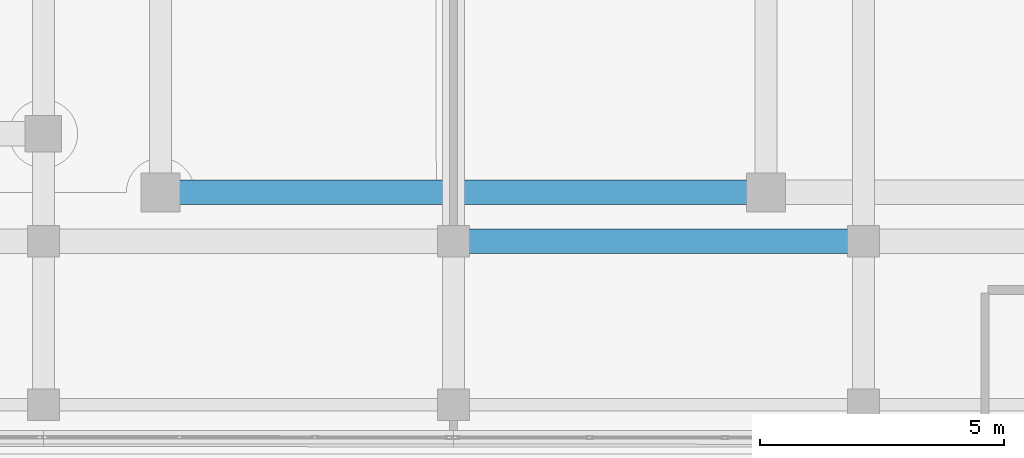
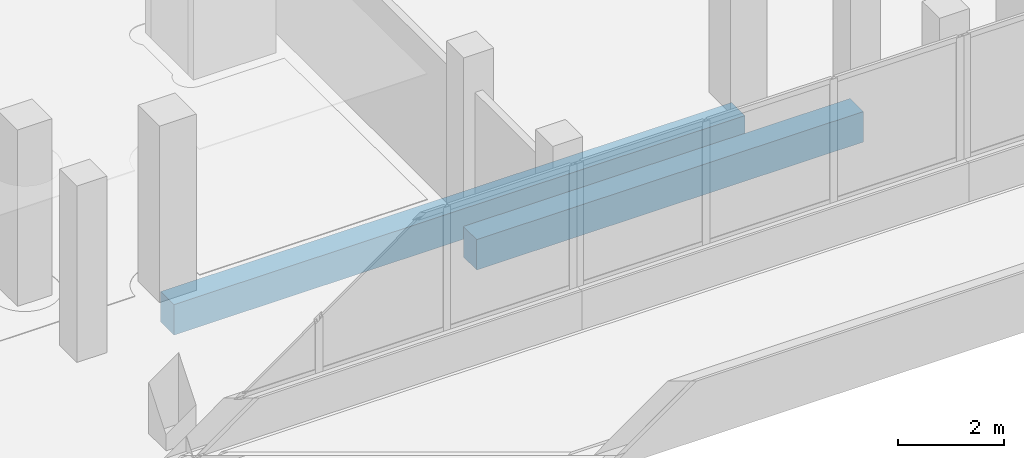
# One storey, part 10 of 78: 2 beams.
"""IFC4 building model written with IfcOpenShell, lengths in metres."""

import ifcopenshell
import ifcopenshell.guid

model = None  # the IFC model being written
_history = None  # IfcOwnerHistory: only IFC2X3 demands one
_inside = {}  # id of a spatial element -> (the spatial element, [elements in it])
_under = {}  # id of a project, library or spatial element -> (it, [spatial elements below it])
_declared = {}  # id of a project -> (the project, [libraries it declares])
_typed = {}  # id of a type object -> (the type object, [elements of that type])
_made_of = {}  # id of a material, layer set ... -> (it, [elements and type objects made of it])


def new_model(schema):
    """Start an empty IFC model of exactly this schema.

    Asked for "IFC4X3", IfcOpenShell would pick the latest addendum, in which some entities
    have other attributes; the version numbers below select the first issue.
    IFC2X3 requires an IfcOwnerHistory on every rooted entity: one is made here for all.
    """
    global model, _history
    if schema == "IFC4X3":
        model = ifcopenshell.file(schema_version=(4, 3, 0, 0))
    else:
        model = ifcopenshell.file(schema=schema)
    _inside.clear()
    _under.clear()
    _declared.clear()
    _typed.clear()
    _made_of.clear()
    _history = None
    if model.schema == "IFC2X3":
        org = make("IfcOrganization", Name="unknown")
        user = make(
            "IfcPersonAndOrganization",
            ThePerson=make("IfcPerson", FamilyName="unknown"),
            TheOrganization=org,
        )
        app = make(
            "IfcApplication",
            ApplicationDeveloper=org,
            Version="unknown",
            ApplicationFullName="unknown",
            ApplicationIdentifier="unknown",
        )
        _history = make(
            "IfcOwnerHistory",
            OwningUser=user,
            OwningApplication=app,
            ChangeAction="ADDED",
            CreationDate=0,
        )
    return model


def make(cls, **values):
    """One entity of the class cls with the attributes given. An attribute that is None is left unset."""
    return model.create_entity(
        cls, **{name: value for name, value in values.items() if value is not None}
    )


def rooted(cls, **values):
    """An entity with a GlobalId (a new one), such as an element, a storey or a relation."""
    return make(cls, GlobalId=ifcopenshell.guid.new(), OwnerHistory=_history, **values)


def si_unit(unit_type, name, prefix=None):
    """IfcSIUnit, for example si_unit("LENGTHUNIT", "METRE", prefix="MILLI")."""
    return make("IfcSIUnit", UnitType=unit_type, Prefix=prefix, Name=name)


def assignment(units):
    """IfcUnitAssignment: the units of a project."""
    return None if units is None else make("IfcUnitAssignment", Units=units)


def point(xyz):
    """IfcCartesianPoint."""
    return None if xyz is None else make("IfcCartesianPoint", Coordinates=xyz)


def direction(xyz):
    """IfcDirection."""
    return None if xyz is None else make("IfcDirection", DirectionRatios=xyz)


def frame(location, z_axis=None, x_axis=None):
    """IfcAxis2Placement3D, a coordinate frame: its origin and axes. An axis left out is left unset."""
    return make(
        "IfcAxis2Placement3D",
        Location=point(location),
        Axis=direction(z_axis),
        RefDirection=direction(x_axis),
    )


def frame_2d(location, x_axis=None):
    """IfcAxis2Placement2D, a coordinate frame in the plane: its origin and x axis."""
    return make(
        "IfcAxis2Placement2D", Location=point(location), RefDirection=direction(x_axis)
    )


def origin():
    """The frame at (0, 0, 0) with its axes left unset."""
    return frame((0.0, 0.0, 0.0))


def origin_2d():
    """The frame at (0, 0) in the plane with its x axis left unset."""
    return frame_2d((0.0, 0.0))


def place(relative_to, where):
    """IfcLocalPlacement: puts the frame where relative to a parent placement (None: the world)."""
    return make(
        "IfcLocalPlacement", PlacementRelTo=relative_to, RelativePlacement=where
    )


def context(
    kind, dimensions, precision=None, world=None, true_north=None, identifier=None
):
    """IfcGeometricRepresentationContext, for example the 3D "Model" context."""
    return make(
        "IfcGeometricRepresentationContext",
        ContextIdentifier=identifier,
        ContextType=kind,
        CoordinateSpaceDimension=dimensions,
        Precision=precision,
        WorldCoordinateSystem=world,
        TrueNorth=true_north,
    )


def subcontext(parent, identifier, kind, view, scale=None):
    """IfcGeometricRepresentationSubContext, for example "Body" below "Model"."""
    return make(
        "IfcGeometricRepresentationSubContext",
        ContextIdentifier=identifier,
        ContextType=kind,
        ParentContext=parent,
        TargetScale=scale,
        TargetView=view,
    )


def project(units=None, contexts=None):
    """IfcProject with its units and contexts."""
    return rooted(
        "IfcProject",
        Name="project",
        RepresentationContexts=contexts,
        UnitsInContext=assignment(units),
    )


def spatial(cls, under=None, at=None, **own):
    """A site, building, storey or space (cls), placed at a placement, below another one or the project."""
    s = rooted(cls, ObjectPlacement=at, **own)
    if under is not None:
        _under.setdefault(under.id(), (under, []))[1].append(s)
    return s


def profile(cls, at=None, kind="AREA", **sizes):
    """A parametric profile (cls). Its sizes go by their IFC names, for example OverallWidth=200.0."""
    return make(cls, ProfileType=kind, Position=at, **sizes)


def rectangle(**sizes):
    """IfcRectangleProfileDef."""
    return profile("IfcRectangleProfileDef", **sizes)


def extrude(swept, where, along, depth):
    """IfcExtrudedAreaSolid: the profile swept, set in the frame where, extruded along a direction by depth."""
    return make(
        "IfcExtrudedAreaSolid",
        SweptArea=swept,
        Position=where,
        ExtrudedDirection=direction(along),
        Depth=depth,
    )


def shape(context_of_items, identifier, shape_type, items):
    """IfcShapeRepresentation: the items that make up one representation, for example the "Body"."""
    return make(
        "IfcShapeRepresentation",
        ContextOfItems=context_of_items,
        RepresentationIdentifier=identifier,
        RepresentationType=shape_type,
        Items=items,
    )


def material(Name=None, Category=None):
    """IfcMaterial."""
    return make("IfcMaterial", Name=Name, Category=Category)


def material_profile(
    of_material, cross_section, Name=None, Category=None, Priority=None
):
    """IfcMaterialProfile: a cross section and its material."""
    return make(
        "IfcMaterialProfile",
        Name=Name,
        Material=of_material,
        Profile=cross_section,
        Priority=Priority,
        Category=Category,
    )


def profile_set(profiles, Name=None, composite=None):
    """IfcMaterialProfileSet."""
    return make(
        "IfcMaterialProfileSet",
        Name=Name,
        MaterialProfiles=profiles,
        CompositeProfile=composite,
    )


def made_of(thing, what):
    """Note that an element or type object is made of a material, layer set ...; save() writes the relation."""
    if what is not None:
        _made_of.setdefault(what.id(), (what, []))[1].append(thing)
    return thing


def type_object(cls, material=None, **own):
    """A type object (cls), such as IfcWallType, which elements share."""
    return made_of(rooted(cls, **own), material)


def element(
    cls,
    number,
    at=None,
    inside=None,
    cuts=None,
    type_object=None,
    material=None,
    context=None,
    identifier="Body",
    shape_type=None,
    held_by="IfcProductDefinitionShape",
    body=None,
    shapes=None,
    **own,
):
    """One element of the class cls, such as IfcWall. Its Tag is "e" and its number.

    at: its placement. inside: the storey or other place that contains it. cuts: it is an
    opening in that element (IfcRelVoidsElement). A single representation is given by context,
    identifier, shape_type and body (its items); several are given by shapes. held_by: the class
    of the entity that holds the representations. save() writes the other relations.
    """
    e = rooted(cls, Tag="e%d" % number, ObjectPlacement=at, **own)
    if body is not None:
        shapes = [shape(context, identifier, shape_type, body)]
    if shapes is not None:
        e.Representation = make(held_by, Representations=shapes)
    if inside is not None:
        _inside.setdefault(inside.id(), (inside, []))[1].append(e)
    if cuts is not None:
        rooted(
            "IfcRelVoidsElement", RelatingBuildingElement=cuts, RelatedOpeningElement=e
        )
    if type_object is not None:
        _typed.setdefault(type_object.id(), (type_object, []))[1].append(e)
    return made_of(e, material)


def aggregate(whole, parts):
    """IfcRelAggregates: a whole, such as a stair, and the parts it consists of."""
    return rooted("IfcRelAggregates", RelatingObject=whole, RelatedObjects=parts)


def save(model, path):
    """Write the relations noted so far, then the file.

    IfcRelAggregates (storeys below a building ...), IfcRelContainedInSpatialStructure (elements
    in a storey), IfcRelDefinesByType, IfcRelAssociatesMaterial and IfcRelDeclares: one each for
    every whole, place, type object, material and project.
    """
    for whole, parts in _under.values():
        aggregate(whole, parts)
    for where, things in _inside.values():
        rooted(
            "IfcRelContainedInSpatialStructure",
            RelatedElements=things,
            RelatingStructure=where,
        )
    for kind, things in _typed.values():
        rooted("IfcRelDefinesByType", RelatedObjects=things, RelatingType=kind)
    for what, things in _made_of.values():
        rooted("IfcRelAssociatesMaterial", RelatedObjects=things, RelatingMaterial=what)
    for by, libraries in _declared.values():
        rooted("IfcRelDeclares", RelatingContext=by, RelatedDefinitions=libraries)
    model.write(path)


model = new_model("IFC4")

# Units and contexts
model_context = context("Model", 3, precision=1e-05, world=origin(), true_north=direction((0.0, 1.0)))
body_context = subcontext(model_context, "Body", "Model", "MODEL_VIEW")
ifc_project = project(units=[si_unit("LENGTHUNIT", "METRE"), si_unit("AREAUNIT", "SQUARE_METRE"), si_unit("VOLUMEUNIT", "CUBIC_METRE"), si_unit("PLANEANGLEUNIT", "RADIAN"), si_unit("MASSUNIT", "GRAM", prefix="KILO")], contexts=[model_context])

# Site, building, storey
site_placement = place(None, origin())
site = spatial("IfcSite", under=ifc_project, at=site_placement, CompositionType="ELEMENT")
building_placement = place(site_placement, origin())
building = spatial("IfcBuilding", under=site, at=building_placement, Name="Selatvlak General Hospital", CompositionType="ELEMENT")
storey_placement = place(building_placement, frame((0.0, 0.0, 23.25)))
storey = spatial("IfcBuildingStorey", under=building, at=storey_placement, Name="L05", CompositionType="ELEMENT", Elevation=23.25)

# Beams
ifc_material = material(Name="Concrete C40/50", Category="concrete")
ifc_material_profile = material_profile(ifc_material, rectangle(XDim=0.5, YDim=0.699951171875, at=origin_2d()), Name="RC-BM 500x700")
ifc_profile_set = profile_set([ifc_material_profile], Name="Concrete C40/50")
beam_type = type_object("IfcBeamType", Name="BM-G03", PredefinedType="BEAM", material=ifc_profile_set)
beam_1_placement = place(storey_placement, frame((64.800048828125, 92.0, -0.6298828125), z_axis=(1.0, 0.0, 0.0), x_axis=(0.0, 1.0, 0.0)))
element("IfcBeam", 1, at=beam_1_placement, inside=storey, type_object=beam_type, Name="Beam BMR-L05-1907", PredefinedType="BEAM", context=body_context, shape_type="SweptSolid", body=[
    extrude(rectangle(XDim=0.5, YDim=0.699951171875, at=origin_2d()), origin(), (0.0, 0.0, 1.0), 8.39990234375),
])
beam_2_placement = place(storey_placement, frame((58.800048828125, 93.0, -0.6298828125), z_axis=(1.0, 0.0, 0.0), x_axis=(0.0, 1.0, 0.0)))
element("IfcBeam", 2, at=beam_2_placement, inside=storey, type_object=beam_type, Name="Beam BMR-L05-1922", PredefinedType="BEAM", context=body_context, shape_type="SweptSolid", body=[
    extrude(rectangle(XDim=0.5, YDim=0.699951171875, at=origin_2d()), origin(), (0.0, 0.0, 1.0), 12.39990234375),
])

save(model, "model.ifc")
